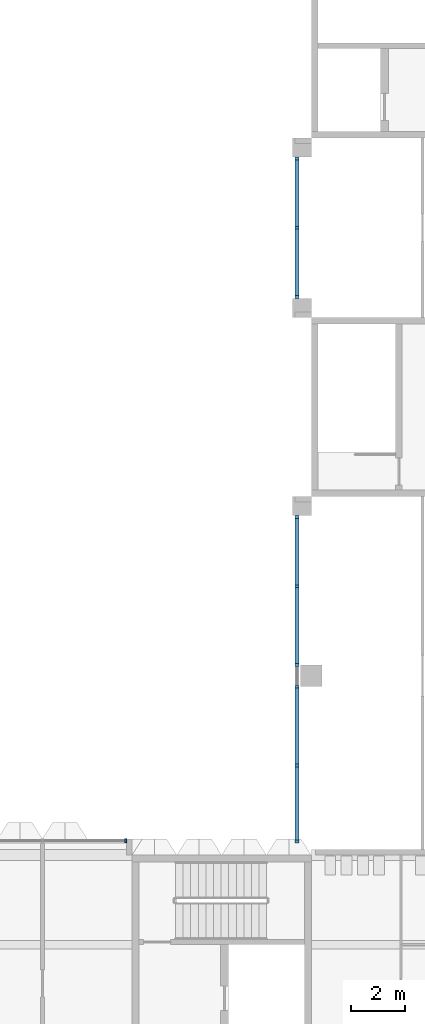
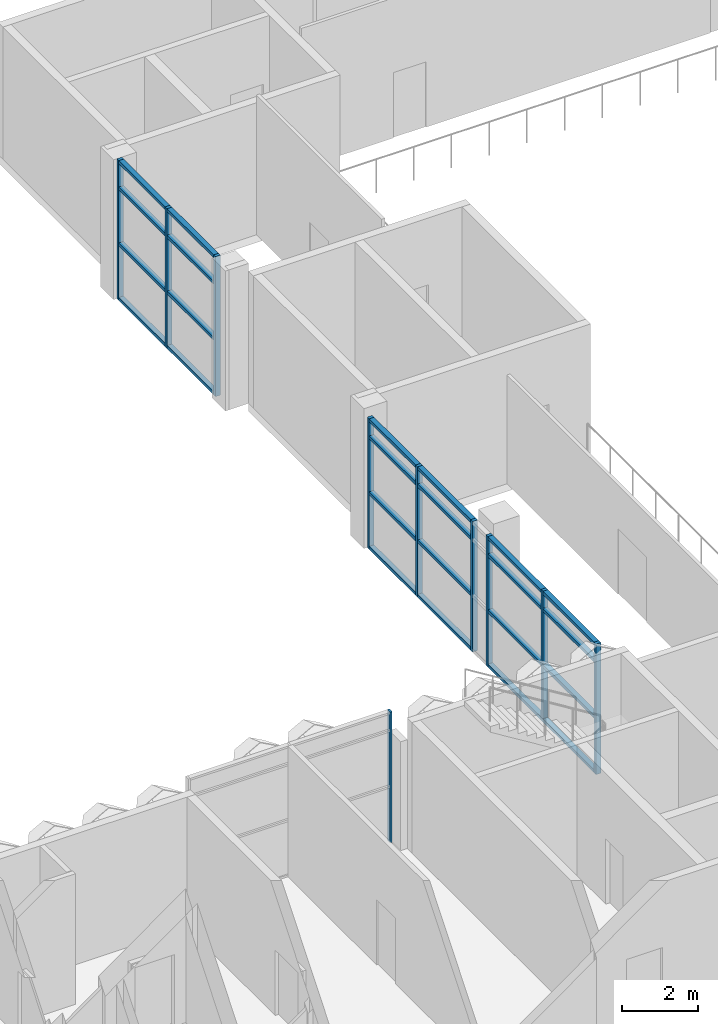
# One storey, part 11 of 102: 34 members, 3 elements without a shape of their own.
"""IFC4 building model written with IfcOpenShell, lengths in metres."""

from ifc_helpers import new_model, si_unit, direction, frame, origin, origin_2d, place, context, subcontext, project, spatial, rectangle, extrude, material, material_profile, profile_set, type_object, element, aggregate, save


model = new_model("IFC4")

# Units and contexts
model_context = context("Model", 3, precision=1e-05, world=origin(), true_north=direction((0.0, 1.0)))
body_context = subcontext(model_context, "Body", "Model", "MODEL_VIEW")
ifc_project = project(units=[si_unit("LENGTHUNIT", "METRE"), si_unit("AREAUNIT", "SQUARE_METRE"), si_unit("VOLUMEUNIT", "CUBIC_METRE"), si_unit("PLANEANGLEUNIT", "RADIAN"), si_unit("MASSUNIT", "GRAM", prefix="KILO")], contexts=[model_context])

# Site, building, storey
site_placement = place(None, origin())
site = spatial("IfcSite", under=ifc_project, at=site_placement, CompositionType="ELEMENT")
building_placement = place(site_placement, origin())
building = spatial("IfcBuilding", under=site, at=building_placement, Name="Lantern Court Research Institute", CompositionType="ELEMENT")
storey_placement = place(building_placement, frame((0.0, 0.0, 9.89990234375)))
storey = spatial("IfcBuildingStorey", under=building, at=storey_placement, Name="L02", CompositionType="ELEMENT", Elevation=9.89990234375)

# Curtain wall, members
ifc_material_1 = material(Name="Aluminium alloy 6063-T6", Category="aluminium")
curtain_wall_type_1 = type_object("IfcCurtainWallType", Name="Curtain wall 12050 x 4200 x 150 aluminium frame", PredefinedType="NOTDEFINED", material=ifc_material_1)
curtain_wall_1_placement = place(storey_placement, origin())
curtain_wall_1 = element("IfcCurtainWall", 1, at=curtain_wall_1_placement, inside=storey, type_object=curtain_wall_type_1, Name="Curtain wall CW037", PredefinedType="NOTDEFINED")
ifc_material_2 = material(Name="Aluminium alloy 6063-T6", Category="aluminium")
ifc_material_profile_1 = material_profile(ifc_material_2, rectangle(XDim=0.14990234375, YDim=0.10009765625, at=origin_2d()), Name="Mullion 150 x 100")
ifc_profile_set_1 = profile_set([ifc_material_profile_1], Name="Aluminium alloy 6063-T6")
member_type_1 = type_object("IfcMemberType", Name="Mullion 150 x 100 aluminium", PredefinedType="MULLION", material=ifc_profile_set_1)
member_1_placement = place(storey_placement, frame((39.074951171875, 23.60009765625, 0.0), z_axis=(0.0, 0.0, 1.0), x_axis=(-1.0, 0.0, 0.0)))
member_1 = element("IfcMember", 2, at=member_1_placement, type_object=member_type_1, Name="CW037 mullion 1", PredefinedType="MULLION", context=body_context, shape_type="SweptSolid", body=[
    extrude(rectangle(XDim=0.14990234375, YDim=0.10009765625, at=origin_2d()), origin(), (0.0, 0.0, 1.0), 4.2001953125),
])
member_2_placement = place(storey_placement, frame((39.074951171875, 26.39990234375, 0.0), z_axis=(0.0, 0.0, 1.0), x_axis=(-1.0, 0.0, 0.0)))
member_2 = element("IfcMember", 3, at=member_2_placement, type_object=member_type_1, Name="CW037 mullion 2", PredefinedType="MULLION", context=body_context, shape_type="SweptSolid", body=[
    extrude(rectangle(XDim=0.14990234375, YDim=0.10009765625, at=origin_2d()), origin(), (0.0, 0.0, 1.0), 4.2001953125),
])
member_3_placement = place(storey_placement, frame((39.074951171875, 29.300048828125, 0.0), z_axis=(0.0, 0.0, 1.0), x_axis=(-1.0, 0.0, 0.0)))
member_3 = element("IfcMember", 4, at=member_3_placement, type_object=member_type_1, Name="CW037 mullion 3", PredefinedType="MULLION", context=body_context, shape_type="SweptSolid", body=[
    extrude(rectangle(XDim=0.14990234375, YDim=0.10009765625, at=origin_2d()), origin(), (0.0, 0.0, 1.0), 4.2001953125),
])
member_4_placement = place(storey_placement, frame((39.074951171875, 30.10009765625, 0.0), z_axis=(0.0, 0.0, 1.0), x_axis=(-1.0, 0.0, 0.0)))
member_4 = element("IfcMember", 5, at=member_4_placement, type_object=member_type_1, Name="CW037 mullion 4", PredefinedType="MULLION", context=body_context, shape_type="SweptSolid", body=[
    extrude(rectangle(XDim=0.14990234375, YDim=0.10009765625, at=origin_2d()), origin(), (0.0, 0.0, 1.0), 4.2001953125),
])
member_5_placement = place(storey_placement, frame((39.074951171875, 33.0, 0.0), z_axis=(0.0, 0.0, 1.0), x_axis=(-1.0, 0.0, 0.0)))
member_5 = element("IfcMember", 6, at=member_5_placement, type_object=member_type_1, Name="CW037 mullion 5", PredefinedType="MULLION", context=body_context, shape_type="SweptSolid", body=[
    extrude(rectangle(XDim=0.14990234375, YDim=0.10009765625, at=origin_2d()), origin(), (0.0, 0.0, 1.0), 4.2001953125),
])
member_6_placement = place(storey_placement, frame((39.074951171875, 35.550048828125, 0.0), z_axis=(0.0, 0.0, 1.0), x_axis=(-1.0, 0.0, 0.0)))
member_6 = element("IfcMember", 7, at=member_6_placement, type_object=member_type_1, Name="CW037 mullion 6", PredefinedType="MULLION", context=body_context, shape_type="SweptSolid", body=[
    extrude(rectangle(XDim=0.14990234375, YDim=0.10009765625, at=origin_2d()), origin(), (0.0, 0.0, 1.0), 4.2001953125),
])

ifc_material_3 = material(Name="Aluminium alloy 6063-T6", Category="aluminium")
curtain_wall_type_2 = type_object("IfcCurtainWallType", Name="Curtain wall 5200 x 4500 x 150 aluminium frame", PredefinedType="NOTDEFINED", material=ifc_material_3)
curtain_wall_2_placement = place(storey_placement, origin())
curtain_wall_2 = element("IfcCurtainWall", 8, at=curtain_wall_2_placement, inside=storey, type_object=curtain_wall_type_2, Name="Curtain wall CW038", PredefinedType="NOTDEFINED")
member_7_placement = place(storey_placement, frame((39.074951171875, 43.64990234375, 0.0), z_axis=(0.0, 0.0, 1.0), x_axis=(-1.0, 0.0, 0.0)))
member_7 = element("IfcMember", 9, at=member_7_placement, type_object=member_type_1, Name="CW038 mullion 1", PredefinedType="MULLION", context=body_context, shape_type="SweptSolid", body=[
    extrude(rectangle(XDim=0.14990234375, YDim=0.10009765625, at=origin_2d()), origin(), (0.0, 0.0, 1.0), 4.5),
])
member_8_placement = place(storey_placement, frame((39.074951171875, 46.199951171875, 0.0), z_axis=(0.0, 0.0, 1.0), x_axis=(-1.0, 0.0, 0.0)))
member_8 = element("IfcMember", 10, at=member_8_placement, type_object=member_type_1, Name="CW038 mullion 2", PredefinedType="MULLION", context=body_context, shape_type="SweptSolid", body=[
    extrude(rectangle(XDim=0.14990234375, YDim=0.10009765625, at=origin_2d()), origin(), (0.0, 0.0, 1.0), 4.5),
])
member_9_placement = place(storey_placement, frame((39.074951171875, 48.75, 0.0), z_axis=(0.0, 0.0, 1.0), x_axis=(-1.0, 0.0, 0.0)))
member_9 = element("IfcMember", 11, at=member_9_placement, type_object=member_type_1, Name="CW038 mullion 3", PredefinedType="MULLION", context=body_context, shape_type="SweptSolid", body=[
    extrude(rectangle(XDim=0.14990234375, YDim=0.10009765625, at=origin_2d()), origin(), (0.0, 0.0, 1.0), 4.5),
])

# Curtain wall, member
ifc_material_4 = material(Name="Aluminium alloy 6063-T6", Category="aluminium")
curtain_wall_type_3 = type_object("IfcCurtainWallType", Name="Curtain wall 6200 x 4200 x 150 aluminium frame", PredefinedType="NOTDEFINED", material=ifc_material_4)
curtain_wall_3_placement = place(storey_placement, origin())
curtain_wall_3 = element("IfcCurtainWall", 12, at=curtain_wall_3_placement, inside=storey, type_object=curtain_wall_type_3, Name="Curtain wall CW040", PredefinedType="NOTDEFINED")
ifc_material_5 = material(Name="Aluminium alloy 6063-T6", Category="aluminium")
ifc_material_profile_2 = material_profile(ifc_material_5, rectangle(XDim=0.14990234375, YDim=0.06005859375, at=origin_2d()), Name="Mullion 150 x 60")
ifc_profile_set_2 = profile_set([ifc_material_profile_2], Name="Aluminium alloy 6063-T6")
member_type_2 = type_object("IfcMemberType", Name="Mullion 150 x 60 aluminium", PredefinedType="MULLION", material=ifc_profile_set_2)
member_10_placement = place(storey_placement, frame((32.77001953125, 23.625, 0.0), z_axis=(0.0, 0.0, 1.0), x_axis=(0.0, 1.0, 0.0)))
member_10 = element("IfcMember", 13, at=member_10_placement, type_object=member_type_2, Name="CW040 mullion 3", PredefinedType="MULLION", context=body_context, shape_type="SweptSolid", body=[
    extrude(rectangle(XDim=0.14990234375, YDim=0.06005859375, at=origin_2d()), origin(), (0.0, 0.0, 1.0), 4.2001953125),
])
aggregate(curtain_wall_3, [member_10])

# Member
ifc_material_6 = material(Name="Aluminium alloy 6063-T6", Category="aluminium")
ifc_material_profile_3 = material_profile(ifc_material_6, rectangle(XDim=0.14990234375, YDim=0.10009765625, at=origin_2d()), Name="Transom 150 x 100")
ifc_profile_set_3 = profile_set([ifc_material_profile_3], Name="Aluminium alloy 6063-T6")
member_type_3 = type_object("IfcMemberType", Name="Transom 150 x 100 aluminium", PredefinedType="USERDEFINED", material=ifc_profile_set_3)
member_11_placement = place(storey_placement, frame((39.074951171875, 23.64990234375, 0.050048828125), z_axis=(0.0, 1.0, 0.0), x_axis=(-1.0, 0.0, 0.0)))
member_11 = element("IfcMember", 14, at=member_11_placement, type_object=member_type_3, Name="CW037 transom 1.1", ObjectType="TRANSOM", PredefinedType="USERDEFINED", context=body_context, shape_type="SweptSolid", body=[
    extrude(rectangle(XDim=0.14990234375, YDim=0.10009765625, at=origin_2d()), origin(), (0.0, 0.0, 1.0), 2.7001953125),
])

member_12_placement = place(storey_placement, frame((39.074951171875, 23.64990234375, 1.800048828125), z_axis=(0.0, 1.0, 0.0), x_axis=(-1.0, 0.0, 0.0)))
member_12 = element("IfcMember", 15, at=member_12_placement, type_object=member_type_3, Name="CW037 transom 1.2", ObjectType="TRANSOM", PredefinedType="USERDEFINED", context=body_context, shape_type="SweptSolid", body=[
    extrude(rectangle(XDim=0.14990234375, YDim=0.10009765625, at=origin_2d()), origin(), (0.0, 0.0, 1.0), 2.7001953125),
])

member_13_placement = place(storey_placement, frame((39.074951171875, 23.64990234375, 3.60009765625), z_axis=(0.0, 1.0, 0.0), x_axis=(-1.0, 0.0, 0.0)))
member_13 = element("IfcMember", 16, at=member_13_placement, type_object=member_type_3, Name="CW037 transom 1.3", ObjectType="TRANSOM", PredefinedType="USERDEFINED", context=body_context, shape_type="SweptSolid", body=[
    extrude(rectangle(XDim=0.14990234375, YDim=0.10009765625, at=origin_2d()), origin(), (0.0, 0.0, 1.0), 2.7001953125),
])

member_14_placement = place(storey_placement, frame((39.074951171875, 23.64990234375, 4.150146484375), z_axis=(0.0, 1.0, 0.0), x_axis=(-1.0, 0.0, 0.0)))
member_14 = element("IfcMember", 17, at=member_14_placement, type_object=member_type_3, Name="CW037 transom 1.4", ObjectType="TRANSOM", PredefinedType="USERDEFINED", context=body_context, shape_type="SweptSolid", body=[
    extrude(rectangle(XDim=0.14990234375, YDim=0.10009765625, at=origin_2d()), origin(), (0.0, 0.0, 1.0), 2.7001953125),
])

member_15_placement = place(storey_placement, frame((39.074951171875, 26.449951171875, 0.050048828125), z_axis=(0.0, 1.0, 0.0), x_axis=(-1.0, 0.0, 0.0)))
member_15 = element("IfcMember", 18, at=member_15_placement, type_object=member_type_3, Name="CW037 transom 2.1", ObjectType="TRANSOM", PredefinedType="USERDEFINED", context=body_context, shape_type="SweptSolid", body=[
    extrude(rectangle(XDim=0.14990234375, YDim=0.10009765625, at=origin_2d()), origin(), (0.0, 0.0, 1.0), 2.800048828125),
])

member_16_placement = place(storey_placement, frame((39.074951171875, 26.449951171875, 1.800048828125), z_axis=(0.0, 1.0, 0.0), x_axis=(-1.0, 0.0, 0.0)))
member_16 = element("IfcMember", 19, at=member_16_placement, type_object=member_type_3, Name="CW037 transom 2.2", ObjectType="TRANSOM", PredefinedType="USERDEFINED", context=body_context, shape_type="SweptSolid", body=[
    extrude(rectangle(XDim=0.14990234375, YDim=0.10009765625, at=origin_2d()), origin(), (0.0, 0.0, 1.0), 2.800048828125),
])

member_17_placement = place(storey_placement, frame((39.074951171875, 26.449951171875, 3.60009765625), z_axis=(0.0, 1.0, 0.0), x_axis=(-1.0, 0.0, 0.0)))
member_17 = element("IfcMember", 20, at=member_17_placement, type_object=member_type_3, Name="CW037 transom 2.3", ObjectType="TRANSOM", PredefinedType="USERDEFINED", context=body_context, shape_type="SweptSolid", body=[
    extrude(rectangle(XDim=0.14990234375, YDim=0.10009765625, at=origin_2d()), origin(), (0.0, 0.0, 1.0), 2.800048828125),
])

member_18_placement = place(storey_placement, frame((39.074951171875, 26.449951171875, 4.150146484375), z_axis=(0.0, 1.0, 0.0), x_axis=(-1.0, 0.0, 0.0)))
member_18 = element("IfcMember", 21, at=member_18_placement, type_object=member_type_3, Name="CW037 transom 2.4", ObjectType="TRANSOM", PredefinedType="USERDEFINED", context=body_context, shape_type="SweptSolid", body=[
    extrude(rectangle(XDim=0.14990234375, YDim=0.10009765625, at=origin_2d()), origin(), (0.0, 0.0, 1.0), 2.800048828125),
])

member_19_placement = place(storey_placement, frame((39.074951171875, 30.14990234375, 0.050048828125), z_axis=(0.0, 1.0, 0.0), x_axis=(-1.0, 0.0, 0.0)))
member_19 = element("IfcMember", 22, at=member_19_placement, type_object=member_type_3, Name="CW037 transom 4.1", ObjectType="TRANSOM", PredefinedType="USERDEFINED", context=body_context, shape_type="SweptSolid", body=[
    extrude(rectangle(XDim=0.14990234375, YDim=0.10009765625, at=origin_2d()), origin(), (0.0, 0.0, 1.0), 2.800048828125),
])

member_20_placement = place(storey_placement, frame((39.074951171875, 30.14990234375, 1.800048828125), z_axis=(0.0, 1.0, 0.0), x_axis=(-1.0, 0.0, 0.0)))
member_20 = element("IfcMember", 23, at=member_20_placement, type_object=member_type_3, Name="CW037 transom 4.2", ObjectType="TRANSOM", PredefinedType="USERDEFINED", context=body_context, shape_type="SweptSolid", body=[
    extrude(rectangle(XDim=0.14990234375, YDim=0.10009765625, at=origin_2d()), origin(), (0.0, 0.0, 1.0), 2.800048828125),
])

member_21_placement = place(storey_placement, frame((39.074951171875, 30.14990234375, 3.60009765625), z_axis=(0.0, 1.0, 0.0), x_axis=(-1.0, 0.0, 0.0)))
member_21 = element("IfcMember", 24, at=member_21_placement, type_object=member_type_3, Name="CW037 transom 4.3", ObjectType="TRANSOM", PredefinedType="USERDEFINED", context=body_context, shape_type="SweptSolid", body=[
    extrude(rectangle(XDim=0.14990234375, YDim=0.10009765625, at=origin_2d()), origin(), (0.0, 0.0, 1.0), 2.800048828125),
])

member_22_placement = place(storey_placement, frame((39.074951171875, 30.14990234375, 4.150146484375), z_axis=(0.0, 1.0, 0.0), x_axis=(-1.0, 0.0, 0.0)))
member_22 = element("IfcMember", 25, at=member_22_placement, type_object=member_type_3, Name="CW037 transom 4.4", ObjectType="TRANSOM", PredefinedType="USERDEFINED", context=body_context, shape_type="SweptSolid", body=[
    extrude(rectangle(XDim=0.14990234375, YDim=0.10009765625, at=origin_2d()), origin(), (0.0, 0.0, 1.0), 2.800048828125),
])

member_23_placement = place(storey_placement, frame((39.074951171875, 33.050048828125, 0.050048828125), z_axis=(0.0, 1.0, 0.0), x_axis=(-1.0, 0.0, 0.0)))
member_23 = element("IfcMember", 26, at=member_23_placement, type_object=member_type_3, Name="CW037 transom 5.1", ObjectType="TRANSOM", PredefinedType="USERDEFINED", context=body_context, shape_type="SweptSolid", body=[
    extrude(rectangle(XDim=0.14990234375, YDim=0.10009765625, at=origin_2d()), origin(), (0.0, 0.0, 1.0), 2.449951171875),
])

member_24_placement = place(storey_placement, frame((39.074951171875, 33.050048828125, 1.800048828125), z_axis=(0.0, 1.0, 0.0), x_axis=(-1.0, 0.0, 0.0)))
member_24 = element("IfcMember", 27, at=member_24_placement, type_object=member_type_3, Name="CW037 transom 5.2", ObjectType="TRANSOM", PredefinedType="USERDEFINED", context=body_context, shape_type="SweptSolid", body=[
    extrude(rectangle(XDim=0.14990234375, YDim=0.10009765625, at=origin_2d()), origin(), (0.0, 0.0, 1.0), 2.449951171875),
])

member_25_placement = place(storey_placement, frame((39.074951171875, 33.050048828125, 3.60009765625), z_axis=(0.0, 1.0, 0.0), x_axis=(-1.0, 0.0, 0.0)))
member_25 = element("IfcMember", 28, at=member_25_placement, type_object=member_type_3, Name="CW037 transom 5.3", ObjectType="TRANSOM", PredefinedType="USERDEFINED", context=body_context, shape_type="SweptSolid", body=[
    extrude(rectangle(XDim=0.14990234375, YDim=0.10009765625, at=origin_2d()), origin(), (0.0, 0.0, 1.0), 2.449951171875),
])

member_26_placement = place(storey_placement, frame((39.074951171875, 33.050048828125, 4.150146484375), z_axis=(0.0, 1.0, 0.0), x_axis=(-1.0, 0.0, 0.0)))
member_26 = element("IfcMember", 29, at=member_26_placement, type_object=member_type_3, Name="CW037 transom 5.4", ObjectType="TRANSOM", PredefinedType="USERDEFINED", context=body_context, shape_type="SweptSolid", body=[
    extrude(rectangle(XDim=0.14990234375, YDim=0.10009765625, at=origin_2d()), origin(), (0.0, 0.0, 1.0), 2.449951171875),
])

aggregate(curtain_wall_1, [member_1, member_2, member_3, member_4, member_5, member_6, member_11, member_12, member_13, member_14, member_15, member_16, member_17, member_18, member_19, member_20, member_21, member_22, member_23, member_24, member_25, member_26])

member_27_placement = place(storey_placement, frame((39.074951171875, 43.699951171875, 0.050048828125), z_axis=(0.0, 1.0, 0.0), x_axis=(-1.0, 0.0, 0.0)))
member_27 = element("IfcMember", 30, at=member_27_placement, type_object=member_type_3, Name="CW038 transom 1.1", ObjectType="TRANSOM", PredefinedType="USERDEFINED", context=body_context, shape_type="SweptSolid", body=[
    extrude(rectangle(XDim=0.14990234375, YDim=0.10009765625, at=origin_2d()), origin(), (0.0, 0.0, 1.0), 2.449951171875),
])

member_28_placement = place(storey_placement, frame((39.074951171875, 43.699951171875, 1.800048828125), z_axis=(0.0, 1.0, 0.0), x_axis=(-1.0, 0.0, 0.0)))
member_28 = element("IfcMember", 31, at=member_28_placement, type_object=member_type_3, Name="CW038 transom 1.2", ObjectType="TRANSOM", PredefinedType="USERDEFINED", context=body_context, shape_type="SweptSolid", body=[
    extrude(rectangle(XDim=0.14990234375, YDim=0.10009765625, at=origin_2d()), origin(), (0.0, 0.0, 1.0), 2.449951171875),
])

member_29_placement = place(storey_placement, frame((39.074951171875, 43.699951171875, 3.60009765625), z_axis=(0.0, 1.0, 0.0), x_axis=(-1.0, 0.0, 0.0)))
member_29 = element("IfcMember", 32, at=member_29_placement, type_object=member_type_3, Name="CW038 transom 1.3", ObjectType="TRANSOM", PredefinedType="USERDEFINED", context=body_context, shape_type="SweptSolid", body=[
    extrude(rectangle(XDim=0.14990234375, YDim=0.10009765625, at=origin_2d()), origin(), (0.0, 0.0, 1.0), 2.449951171875),
])

member_30_placement = place(storey_placement, frame((39.074951171875, 43.699951171875, 4.4501953125), z_axis=(0.0, 1.0, 0.0), x_axis=(-1.0, 0.0, 0.0)))
member_30 = element("IfcMember", 33, at=member_30_placement, type_object=member_type_3, Name="CW038 transom 1.4", ObjectType="TRANSOM", PredefinedType="USERDEFINED", context=body_context, shape_type="SweptSolid", body=[
    extrude(rectangle(XDim=0.14990234375, YDim=0.10009765625, at=origin_2d()), origin(), (0.0, 0.0, 1.0), 2.449951171875),
])

member_31_placement = place(storey_placement, frame((39.074951171875, 46.25, 0.050048828125), z_axis=(0.0, 1.0, 0.0), x_axis=(-1.0, 0.0, 0.0)))
member_31 = element("IfcMember", 34, at=member_31_placement, type_object=member_type_3, Name="CW038 transom 2.1", ObjectType="TRANSOM", PredefinedType="USERDEFINED", context=body_context, shape_type="SweptSolid", body=[
    extrude(rectangle(XDim=0.14990234375, YDim=0.10009765625, at=origin_2d()), origin(), (0.0, 0.0, 1.0), 2.449951171875),
])

member_32_placement = place(storey_placement, frame((39.074951171875, 46.25, 1.800048828125), z_axis=(0.0, 1.0, 0.0), x_axis=(-1.0, 0.0, 0.0)))
member_32 = element("IfcMember", 35, at=member_32_placement, type_object=member_type_3, Name="CW038 transom 2.2", ObjectType="TRANSOM", PredefinedType="USERDEFINED", context=body_context, shape_type="SweptSolid", body=[
    extrude(rectangle(XDim=0.14990234375, YDim=0.10009765625, at=origin_2d()), origin(), (0.0, 0.0, 1.0), 2.449951171875),
])

member_33_placement = place(storey_placement, frame((39.074951171875, 46.25, 3.60009765625), z_axis=(0.0, 1.0, 0.0), x_axis=(-1.0, 0.0, 0.0)))
member_33 = element("IfcMember", 36, at=member_33_placement, type_object=member_type_3, Name="CW038 transom 2.3", ObjectType="TRANSOM", PredefinedType="USERDEFINED", context=body_context, shape_type="SweptSolid", body=[
    extrude(rectangle(XDim=0.14990234375, YDim=0.10009765625, at=origin_2d()), origin(), (0.0, 0.0, 1.0), 2.449951171875),
])

member_34_placement = place(storey_placement, frame((39.074951171875, 46.25, 4.4501953125), z_axis=(0.0, 1.0, 0.0), x_axis=(-1.0, 0.0, 0.0)))
member_34 = element("IfcMember", 37, at=member_34_placement, type_object=member_type_3, Name="CW038 transom 2.4", ObjectType="TRANSOM", PredefinedType="USERDEFINED", context=body_context, shape_type="SweptSolid", body=[
    extrude(rectangle(XDim=0.14990234375, YDim=0.10009765625, at=origin_2d()), origin(), (0.0, 0.0, 1.0), 2.449951171875),
])

aggregate(curtain_wall_2, [member_7, member_8, member_9, member_27, member_28, member_29, member_30, member_31, member_32, member_33, member_34])

save(model, "model.ifc")
